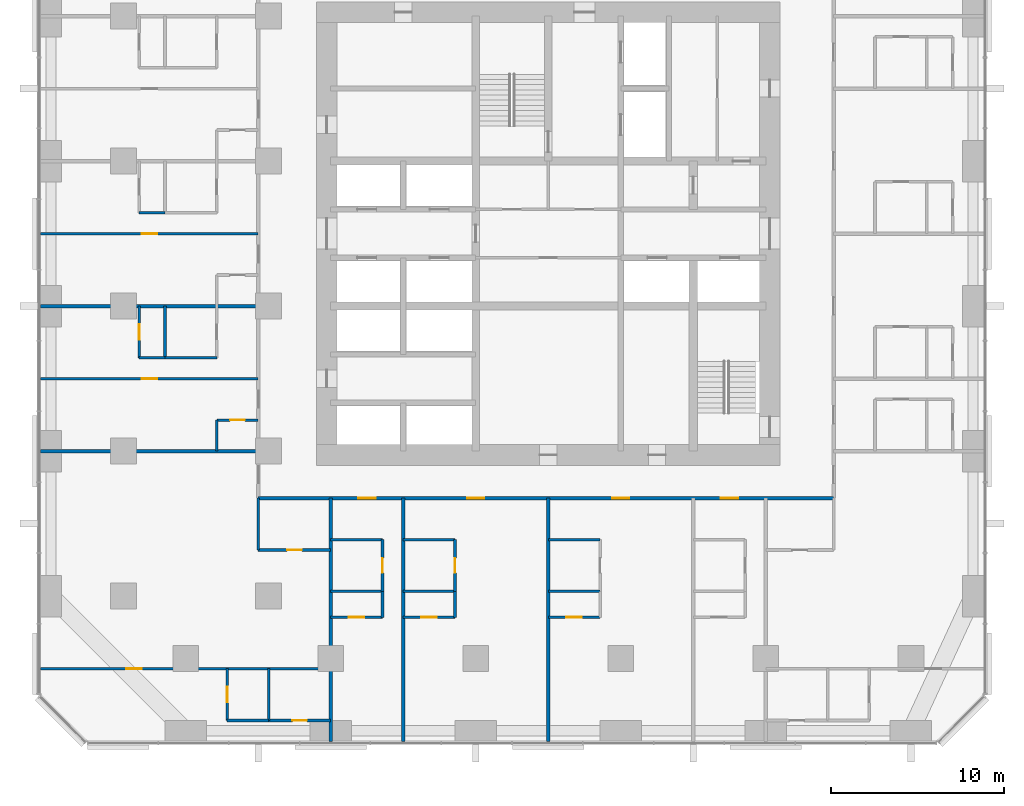
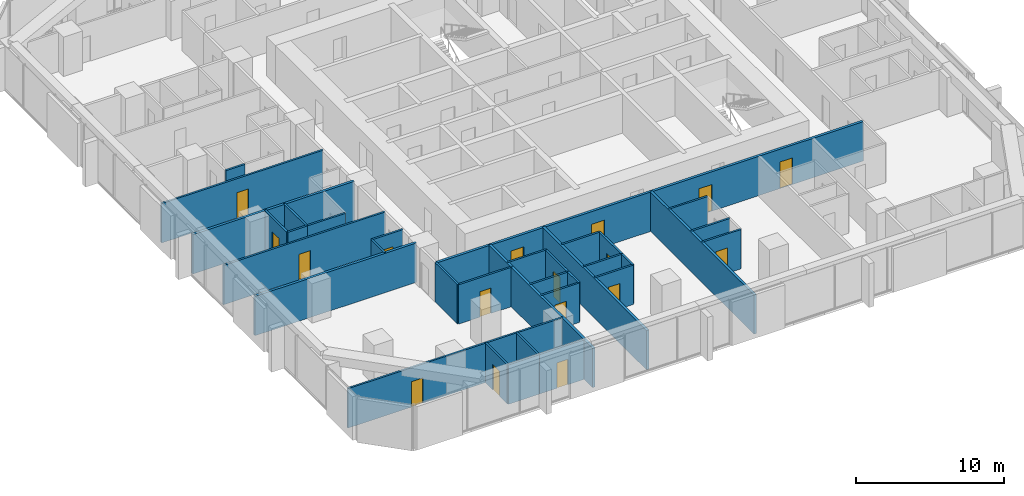
# One storey, part 8 of 14: 35 walls, 17 doors, 17 openings.
"""IFC4 building model written with IfcOpenShell, lengths in metres."""

from ifc_helpers import new_model, si_unit, direction, frame, frame_2d, origin, place, context, subcontext, project, spatial, rectangle, extrude, material, layer, layer_set, type_object, element, fill, save


model = new_model("IFC4")

# Units and contexts
model_context = context("Model", 3, precision=1e-05, world=origin(), true_north=direction((0.0, 1.0)))
body_context = subcontext(model_context, "Body", "Model", "MODEL_VIEW")
ifc_project = project(units=[si_unit("LENGTHUNIT", "METRE"), si_unit("AREAUNIT", "SQUARE_METRE"), si_unit("VOLUMEUNIT", "CUBIC_METRE"), si_unit("PLANEANGLEUNIT", "RADIAN"), si_unit("MASSUNIT", "GRAM", prefix="KILO")], contexts=[model_context])

# Site, building, storey
site_placement = place(None, origin())
site = spatial("IfcSite", under=ifc_project, at=site_placement, CompositionType="ELEMENT")
building_placement = place(site_placement, origin())
building = spatial("IfcBuilding", under=site, at=building_placement, Name="Dunama Terrace Hotel", CompositionType="ELEMENT")
storey_placement = place(building_placement, frame((0.0, 0.0, 100.800048828125)))
storey = spatial("IfcBuildingStorey", under=building, at=storey_placement, Name="L25", CompositionType="ELEMENT", Elevation=100.800048828125)

# Walls
ifc_material_1 = material(Name="Gypsum board partition", Category="masonry")
ifc_layer_1 = layer(ifc_material_1, 0.14990234375)
ifc_layer_set_1 = layer_set([ifc_layer_1], Name="Bathroom partition 150")
wall_type_1 = type_object("IfcWallType", Name="Bathroom partition 150", PredefinedType="PARTITIONING", material=ifc_layer_set_1)
wall_1_placement = place(storey_placement, frame((10.199951171875, 16.800048828125, 0.0), z_axis=(0.0, 0.0, 1.0), x_axis=(0.0, 1.0, 0.0)))
element("IfcWall", 1, at=wall_1_placement, inside=storey, type_object=wall_type_1, Name="Bathroom partition 150 L25", PredefinedType="PARTITIONING", context=body_context, shape_type="SweptSolid", body=[
    extrude(rectangle(XDim=1.800048828125, YDim=0.14990234375, at=frame_2d((0.89990234375, 0.0))), origin(), (0.0, 0.0, 1.0), 3.25),
])
wall_2_placement = place(storey_placement, frame((12.60009765625, 11.074951171875, 0.0), z_axis=(0.0, 0.0, 1.0), x_axis=(0.0, 1.0, 0.0)))
element("IfcWall", 2, at=wall_2_placement, inside=storey, type_object=wall_type_1, Name="Bathroom partition 150 L25", PredefinedType="PARTITIONING", context=body_context, shape_type="SweptSolid", body=[
    extrude(rectangle(XDim=3.0, YDim=0.14990234375, at=frame_2d((1.5, 0.0))), origin(), (0.0, 0.0, 1.0), 3.25),
])

# Wall, opening, door
wall_3_placement = place(storey_placement, frame((19.800048828125, 8.675048828125, 0.0), z_axis=(0.0, 0.0, 1.0), x_axis=(0.0, 1.0, 0.0)))
wall_3 = element("IfcWall", 3, at=wall_3_placement, inside=storey, type_object=wall_type_1, Name="Bathroom partition 150 L25", PredefinedType="PARTITIONING", context=body_context, shape_type="SweptSolid", body=[
    extrude(rectangle(XDim=3.0, YDim=0.14990234375, at=frame_2d((1.5, 0.0))), origin(), (0.0, 0.0, 1.0), 3.25),
])
opening_1_placement = place(wall_3_placement, frame((1.074951171875, 0.0, 0.0)))
opening_1 = element("IfcOpeningElement", 4, at=opening_1_placement, cuts=wall_3, Name="Opening L25-27-012", PredefinedType="OPENING", context=body_context, shape_type="SweptSolid", body=[
    extrude(rectangle(XDim=0.85009765625, YDim=2.10009765625, at=frame_2d((0.425048828125, 1.050048828125))), frame((0.0, 0.0849609375, 0.0), z_axis=(0.0, -1.0, 0.0), x_axis=(1.0, 0.0, 0.0)), (0.0, 0.0, 1.0), 0.169921875),
])
ifc_material_2 = material(Name="Timber door with steel frame", Category="steel")
door_type_1 = type_object("IfcDoorType", Name="Bathroom door 850", OperationType="SINGLE_SWING_LEFT", PredefinedType="DOOR", material=ifc_material_2)
door_1_placement = place(opening_1_placement, origin())
door_1 = element("IfcDoor", 5, at=door_1_placement, inside=storey, type_object=door_type_1, Name="Door to en-suite bathroom L25-27-012, type D2", OperationType="SINGLE_SWING_LEFT", OverallHeight=2.10009765625, OverallWidth=0.85009765625, PredefinedType="DOOR", context=body_context, shape_type="SweptSolid", body=[
    extrude(rectangle(XDim=0.85009765625, YDim=2.10009765625, at=frame_2d((0.425048828125, 1.050048828125))), frame((0.0, 0.02490234375, 0.0), z_axis=(0.0, -1.0, 0.0), x_axis=(1.0, 0.0, 0.0)), (0.0, 0.0, 1.0), 0.050048828125),
])
fill(opening_1, door_1)

wall_4_placement = place(storey_placement, frame((24.0, 8.675048828125, 0.0), z_axis=(0.0, 0.0, 1.0), x_axis=(0.0, 1.0, 0.0)))
wall_4 = element("IfcWall", 6, at=wall_4_placement, inside=storey, type_object=wall_type_1, Name="Bathroom partition 150 L25", PredefinedType="PARTITIONING", context=body_context, shape_type="SweptSolid", body=[
    extrude(rectangle(XDim=3.0, YDim=0.14990234375, at=frame_2d((1.5, 0.0))), origin(), (0.0, 0.0, 1.0), 3.25),
])
opening_2_placement = place(wall_4_placement, frame((1.074951171875, 0.0, 0.0)))
opening_2 = element("IfcOpeningElement", 7, at=opening_2_placement, cuts=wall_4, Name="Opening L25-27-015", PredefinedType="OPENING", context=body_context, shape_type="SweptSolid", body=[
    extrude(rectangle(XDim=0.85009765625, YDim=2.10009765625, at=frame_2d((0.425048828125, 1.050048828125))), frame((0.0, 0.0849609375, 0.0), z_axis=(0.0, -1.0, 0.0), x_axis=(1.0, 0.0, 0.0)), (0.0, 0.0, 1.0), 0.169921875),
])
door_2_placement = place(opening_2_placement, origin())
door_2 = element("IfcDoor", 8, at=door_2_placement, inside=storey, type_object=door_type_1, Name="Door to en-suite bathroom L25-27-015, type D2", OperationType="SINGLE_SWING_LEFT", OverallHeight=2.10009765625, OverallWidth=0.85009765625, PredefinedType="DOOR", context=body_context, shape_type="SweptSolid", body=[
    extrude(rectangle(XDim=0.85009765625, YDim=2.10009765625, at=frame_2d((0.425048828125, 1.050048828125))), frame((0.0, 0.02490234375, 0.0), z_axis=(0.0, -1.0, 0.0), x_axis=(1.0, 0.0, 0.0)), (0.0, 0.0, 1.0), 0.050048828125),
])
fill(opening_2, door_2)

wall_5_placement = place(storey_placement, frame((13.199951171875, 1.199951171875, 0.0), z_axis=(0.0, 0.0, 1.0), x_axis=(1.0, 0.0, 0.0)))
wall_5 = element("IfcWall", 9, at=wall_5_placement, inside=storey, type_object=wall_type_1, Name="Bathroom partition 150 L25", PredefinedType="PARTITIONING", context=body_context, shape_type="SweptSolid", body=[
    extrude(rectangle(XDim=3.60009765625, YDim=0.14990234375, at=frame_2d((1.800048828125, 0.0))), origin(), (0.0, 0.0, 1.0), 3.25),
])
opening_3_placement = place(wall_5_placement, frame((1.375, 0.0, 0.0)))
opening_3 = element("IfcOpeningElement", 10, at=opening_3_placement, cuts=wall_5, Name="Opening L25-27-062", PredefinedType="OPENING", context=body_context, shape_type="SweptSolid", body=[
    extrude(rectangle(XDim=0.85009765625, YDim=2.10009765625, at=frame_2d((0.425048828125, 1.050048828125))), frame((0.0, 0.0849609375, 0.0), z_axis=(0.0, -1.0, 0.0), x_axis=(1.0, 0.0, 0.0)), (0.0, 0.0, 1.0), 0.169921875),
])
door_3_placement = place(opening_3_placement, origin())
door_3 = element("IfcDoor", 11, at=door_3_placement, inside=storey, type_object=door_type_1, Name="Door to en-suite bathroom L25-27-062, type D2", OperationType="SINGLE_SWING_RIGHT", OverallHeight=2.10009765625, OverallWidth=0.85009765625, PredefinedType="DOOR", context=body_context, shape_type="SweptSolid", body=[
    extrude(rectangle(XDim=0.85009765625, YDim=2.10009765625, at=frame_2d((0.425048828125, 1.050048828125))), frame((0.0, 0.02490234375, 0.0), z_axis=(0.0, -1.0, 0.0), x_axis=(1.0, 0.0, 0.0)), (0.0, 0.0, 1.0), 0.050048828125),
])
fill(opening_3, door_3)

wall_6_placement = place(storey_placement, frame((12.60009765625, 11.074951171875, 0.0), z_axis=(0.0, 0.0, 1.0), x_axis=(1.0, 0.0, 0.0)))
wall_6 = element("IfcWall", 12, at=wall_6_placement, inside=storey, type_object=wall_type_1, Name="Bathroom partition 150 L25", PredefinedType="PARTITIONING", context=body_context, shape_type="SweptSolid", body=[
    extrude(rectangle(XDim=4.199951171875, YDim=0.14990234375, at=frame_2d((2.10009765625, 0.0))), origin(), (0.0, 0.0, 1.0), 3.25),
])
opening_4_placement = place(wall_6_placement, frame((1.675048828125, 0.0, 0.0)))
opening_4 = element("IfcOpeningElement", 13, at=opening_4_placement, cuts=wall_6, Name="Opening L25-27-060", PredefinedType="OPENING", context=body_context, shape_type="SweptSolid", body=[
    extrude(rectangle(XDim=0.85009765625, YDim=2.10009765625, at=frame_2d((0.425048828125, 1.050048828125))), frame((0.0, 0.0849609375, 0.0), z_axis=(0.0, -1.0, 0.0), x_axis=(1.0, 0.0, 0.0)), (0.0, 0.0, 1.0), 0.169921875),
])
door_4_placement = place(opening_4_placement, origin())
door_4 = element("IfcDoor", 14, at=door_4_placement, inside=storey, type_object=door_type_1, Name="Door to powder room L25-27-060, type D2", OperationType="SINGLE_SWING_RIGHT", OverallHeight=2.10009765625, OverallWidth=0.85009765625, PredefinedType="DOOR", context=body_context, shape_type="SweptSolid", body=[
    extrude(rectangle(XDim=0.85009765625, YDim=2.10009765625, at=frame_2d((0.425048828125, 1.050048828125))), frame((0.0, 0.02490234375, 0.0), z_axis=(0.0, -1.0, 0.0), x_axis=(1.0, 0.0, 0.0)), (0.0, 0.0, 1.0), 0.050048828125),
])
fill(opening_4, door_4)

# Walls
for number, where, z_axis, x_axis, name in (
    (15, (16.800048828125, 11.675048828125, 0.0), (0.0, 0.0, 1.0), (1.0, 0.0, 0.0), "Bathroom partition 150 L25"),
    (16, (21.0, 11.675048828125, 0.0), (0.0, 0.0, 1.0), (1.0, 0.0, 0.0), "Bathroom partition 150 L25"),
    (17, (29.39990234375, 11.675048828125, 0.0), (0.0, 0.0, 1.0), (1.0, 0.0, 0.0), "Bathroom partition 150 L25"),
):
    element("IfcWall", number, at=place(storey_placement, frame(where, z_axis=z_axis, x_axis=x_axis)), inside=storey, type_object=wall_type_1, Name=name, PredefinedType="PARTITIONING", context=body_context, shape_type="SweptSolid", body=[
        extrude(rectangle(XDim=3.0, YDim=0.14990234375, at=frame_2d((1.5, 0.0))), origin(), (0.0, 0.0, 1.0), 3.25),
    ])

# Wall, opening, door
wall_7_placement = place(storey_placement, frame((10.199951171875, 18.60009765625, 0.0), z_axis=(0.0, 0.0, 1.0), x_axis=(1.0, 0.0, 0.0)))
wall_7 = element("IfcWall", 18, at=wall_7_placement, inside=storey, type_object=wall_type_1, Name="Bathroom partition 150 L25", PredefinedType="PARTITIONING", context=body_context, shape_type="SweptSolid", body=[
    extrude(rectangle(XDim=2.400146484375, YDim=0.14990234375, at=frame_2d((1.2001953125, 0.0))), origin(), (0.0, 0.0, 1.0), 3.25),
])
opening_5_placement = place(wall_7_placement, frame((0.77490234375, 0.0, 0.0)))
opening_5 = element("IfcOpeningElement", 19, at=opening_5_placement, cuts=wall_7, Name="Opening L25-27-045", PredefinedType="OPENING", context=body_context, shape_type="SweptSolid", body=[
    extrude(rectangle(XDim=0.85009765625, YDim=2.10009765625, at=frame_2d((0.425048828125, 1.050048828125))), frame((0.0, 0.0849609375, 0.0), z_axis=(0.0, -1.0, 0.0), x_axis=(1.0, 0.0, 0.0)), (0.0, 0.0, 1.0), 0.169921875),
])
door_5_placement = place(opening_5_placement, frame((0.85009765625, 0.0, 0.0), z_axis=(0.0, 0.0, 1.0), x_axis=(-1.0, 0.0, 0.0)))
door_5 = element("IfcDoor", 20, at=door_5_placement, inside=storey, type_object=door_type_1, Name="Door to powder room L25-27-045, type D2", OperationType="SINGLE_SWING_LEFT", OverallHeight=2.10009765625, OverallWidth=0.85009765625, PredefinedType="DOOR", context=body_context, shape_type="SweptSolid", body=[
    extrude(rectangle(XDim=0.85009765625, YDim=2.10009765625, at=frame_2d((0.425048828125, 1.050048828125))), frame((0.0, 0.025146484375, 0.0), z_axis=(0.0, -1.0, 0.0), x_axis=(1.0, 0.0, 0.0)), (0.0, 0.0, 1.0), 0.050048828125),
])
fill(opening_5, door_5)

# Wall
wall_8_placement = place(storey_placement, frame((7.199951171875, 22.199951171875, 0.0), z_axis=(0.0, 0.0, 1.0), x_axis=(1.0, 0.0, 0.0)))
element("IfcWall", 21, at=wall_8_placement, inside=storey, type_object=wall_type_1, Name="Bathroom partition 150 L25", PredefinedType="PARTITIONING", context=body_context, shape_type="SweptSolid", body=[
    extrude(rectangle(XDim=3.0, YDim=0.14990234375, at=frame_2d((1.5, 0.0))), origin(), (0.0, 0.0, 1.0), 3.25),
])

# Wall, openings, doors
ifc_material_3 = material(Name="Concrete blockwork", Category="masonry")
ifc_layer_2 = layer(ifc_material_3, 0.199951171875)
ifc_layer_set_2 = layer_set([ifc_layer_2], Name="Corridor partition 200")
wall_type_2 = type_object("IfcWallType", Name="Corridor partition 200", PredefinedType="PARTITIONING", material=ifc_layer_set_2)
wall_9_placement = place(storey_placement, frame((45.925048828125, 14.074951171875, 0.0), z_axis=(0.0, 0.0, 1.0), x_axis=(-1.0, 0.0, 0.0)))
wall_9 = element("IfcWall", 22, at=wall_9_placement, inside=storey, type_object=wall_type_2, Name="Corridor partition 200 L25", PredefinedType="PARTITIONING", context=body_context, shape_type="SweptSolid", body=[
    extrude(rectangle(XDim=33.324951171875, YDim=0.199951171875, at=frame_2d((16.66259765625, 0.0))), origin(), (0.0, 0.0, 1.0), 3.25),
])
opening_6_placement = place(wall_9_placement, frame((26.52490234375, 0.0, 0.0)))
opening_6 = element("IfcOpeningElement", 23, at=opening_6_placement, cuts=wall_9, Name="Opening L25-27-011", PredefinedType="OPENING", context=body_context, shape_type="SweptSolid", body=[
    extrude(rectangle(XDim=1.0, YDim=2.199951171875, at=frame_2d((0.5, 1.10009765625))), frame((0.0, 0.10986328125, 0.0), z_axis=(0.0, -1.0, 0.0), x_axis=(1.0, 0.0, 0.0)), (0.0, 0.0, 1.0), 0.219970703125),
])
opening_7_placement = place(wall_9_placement, frame((20.22509765625, 0.0, 0.0)))
opening_7 = element("IfcOpeningElement", 24, at=opening_7_placement, cuts=wall_9, Name="Opening L25-27-014", PredefinedType="OPENING", context=body_context, shape_type="SweptSolid", body=[
    extrude(rectangle(XDim=1.0, YDim=2.199951171875, at=frame_2d((0.5, 1.10009765625))), frame((0.0, 0.10986328125, 0.0), z_axis=(0.0, -1.0, 0.0), x_axis=(1.0, 0.0, 0.0)), (0.0, 0.0, 1.0), 0.219970703125),
])
opening_8_placement = place(wall_9_placement, frame((11.824951171875, 0.0, 0.0)))
opening_8 = element("IfcOpeningElement", 25, at=opening_8_placement, cuts=wall_9, Name="Opening L25-27-017", PredefinedType="OPENING", context=body_context, shape_type="SweptSolid", body=[
    extrude(rectangle(XDim=1.0, YDim=2.199951171875, at=frame_2d((0.5, 1.10009765625))), frame((0.0, 0.10986328125, 0.0), z_axis=(0.0, -1.0, 0.0), x_axis=(1.0, 0.0, 0.0)), (0.0, 0.0, 1.0), 0.219970703125),
])
opening_9_placement = place(wall_9_placement, frame((5.52490234375, 0.0, 0.0)))
opening_9 = element("IfcOpeningElement", 26, at=opening_9_placement, cuts=wall_9, Name="Opening L25-27-020", PredefinedType="OPENING", context=body_context, shape_type="SweptSolid", body=[
    extrude(rectangle(XDim=1.0, YDim=2.199951171875, at=frame_2d((0.5, 1.10009765625))), frame((0.0, 0.10986328125, 0.0), z_axis=(0.0, -1.0, 0.0), x_axis=(1.0, 0.0, 0.0)), (0.0, 0.0, 1.0), 0.219970703125),
])
ifc_material_4 = material(Name="Timber door with steel frame", Category="steel")
door_type_2 = type_object("IfcDoorType", Name="Guest room door 1000", OperationType="SINGLE_SWING_LEFT", PredefinedType="DOOR", material=ifc_material_4)
door_6_placement = place(opening_6_placement, origin())
door_6 = element("IfcDoor", 27, at=door_6_placement, inside=storey, type_object=door_type_2, Name="Door to premier room L25-27-011, type D1", OperationType="SINGLE_SWING_LEFT", OverallHeight=2.199951171875, OverallWidth=1.0, PredefinedType="DOOR", context=body_context, shape_type="SweptSolid", body=[
    extrude(rectangle(XDim=1.0, YDim=2.199951171875, at=frame_2d((0.5, 1.10009765625))), frame((0.0, 0.02490234375, 0.0), z_axis=(0.0, -1.0, 0.0), x_axis=(1.0, 0.0, 0.0)), (0.0, 0.0, 1.0), 0.050048828125),
])
fill(opening_6, door_6)
door_7_placement = place(opening_7_placement, origin())
door_7 = element("IfcDoor", 28, at=door_7_placement, inside=storey, type_object=door_type_2, Name="Door to junior suite L25-27-014, type D1", OperationType="SINGLE_SWING_RIGHT", OverallHeight=2.199951171875, OverallWidth=1.0, PredefinedType="DOOR", context=body_context, shape_type="SweptSolid", body=[
    extrude(rectangle(XDim=1.0, YDim=2.199951171875, at=frame_2d((0.5, 1.10009765625))), frame((0.0, 0.02490234375, 0.0), z_axis=(0.0, -1.0, 0.0), x_axis=(1.0, 0.0, 0.0)), (0.0, 0.0, 1.0), 0.050048828125),
])
fill(opening_7, door_7)
door_8_placement = place(opening_8_placement, origin())
door_8 = element("IfcDoor", 29, at=door_8_placement, inside=storey, type_object=door_type_2, Name="Door to junior suite L25-27-017, type D1", OperationType="SINGLE_SWING_RIGHT", OverallHeight=2.199951171875, OverallWidth=1.0, PredefinedType="DOOR", context=body_context, shape_type="SweptSolid", body=[
    extrude(rectangle(XDim=1.0, YDim=2.199951171875, at=frame_2d((0.5, 1.10009765625))), frame((0.0, 0.02490234375, 0.0), z_axis=(0.0, -1.0, 0.0), x_axis=(1.0, 0.0, 0.0)), (0.0, 0.0, 1.0), 0.050048828125),
])
fill(opening_8, door_8)
door_9_placement = place(opening_9_placement, origin())
door_9 = element("IfcDoor", 30, at=door_9_placement, inside=storey, type_object=door_type_2, Name="Door to premier room L25-27-020, type D1", OperationType="SINGLE_SWING_LEFT", OverallHeight=2.199951171875, OverallWidth=1.0, PredefinedType="DOOR", context=body_context, shape_type="SweptSolid", body=[
    extrude(rectangle(XDim=1.0, YDim=2.199951171875, at=frame_2d((0.5, 1.10009765625))), frame((0.0, 0.02490234375, 0.0), z_axis=(0.0, -1.0, 0.0), x_axis=(1.0, 0.0, 0.0)), (0.0, 0.0, 1.0), 0.050048828125),
])
fill(opening_9, door_9)

# Walls
ifc_material_5 = material(Name="Concrete blockwork", Category="masonry")
ifc_layer_3 = layer(ifc_material_5, 0.199951171875)
ifc_layer_set_3 = layer_set([ifc_layer_3], Name="Party wall 200")
wall_type_3 = type_object("IfcWallType", Name="Party wall 200", PredefinedType="PARTITIONING", material=ifc_layer_set_3)
for number, where, z_axis, x_axis, name in (
    (31, (16.800048828125, -0.01806640625, 0.0), (0.0, 0.0, 1.0), (0.0, 1.0, 0.0), "Party wall 200 L25"),
    (32, (21.0, -0.01806640625, 0.0), (0.0, 0.0, 1.0), (0.0, 1.0, 0.0), "Party wall 200 L25"),
    (33, (29.39990234375, -0.01806640625, 0.0), (0.0, 0.0, 1.0), (0.0, 1.0, 0.0), "Party wall 200 L25"),
):
    element("IfcWall", number, at=place(storey_placement, frame(where, z_axis=z_axis, x_axis=x_axis)), inside=storey, type_object=wall_type_3, Name=name, PredefinedType="PARTITIONING", context=body_context, shape_type="SweptSolid", body=[
        extrude(rectangle(XDim=14.093017578125, YDim=0.199951171875, at=frame_2d((7.04638671875, 0.0))), origin(), (0.0, 0.0, 1.0), 3.25),
    ])
for number, where, z_axis, x_axis, name in (
    (34, (-0.01806640625, 16.800048828125, 0.0), (0.0, 0.0, 1.0), (1.0, 0.0, 0.0), "Party wall 200 L25"),
    (35, (-0.01806640625, 25.199951171875, 0.0), (0.0, 0.0, 1.0), (1.0, 0.0, 0.0), "Party wall 200 L25"),
):
    element("IfcWall", number, at=place(storey_placement, frame(where, z_axis=z_axis, x_axis=x_axis)), inside=storey, type_object=wall_type_3, Name=name, PredefinedType="PARTITIONING", context=body_context, shape_type="SweptSolid", body=[
        extrude(rectangle(XDim=12.6181640625, YDim=0.199951171875, at=frame_2d((6.30908203125, 0.0))), origin(), (0.0, 0.0, 1.0), 3.25),
    ])

# Wall, opening, door
ifc_material_6 = material(Name="Gypsum board partition", Category="masonry")
ifc_layer_4 = layer(ifc_material_6, 0.14990234375)
ifc_layer_set_4 = layer_set([ifc_layer_4], Name="Room partition 150")
wall_type_4 = type_object("IfcWallType", Name="Room partition 150", PredefinedType="PARTITIONING", material=ifc_layer_set_4)
wall_10_placement = place(storey_placement, frame((5.699951171875, 22.199951171875, 0.0), z_axis=(0.0, 0.0, 1.0), x_axis=(0.0, 1.0, 0.0)))
wall_10 = element("IfcWall", 36, at=wall_10_placement, inside=storey, type_object=wall_type_4, Name="Room partition 150 L25", PredefinedType="PARTITIONING", context=body_context, shape_type="SweptSolid", body=[
    extrude(rectangle(XDim=3.0, YDim=0.14990234375, at=frame_2d((1.5, 0.0))), origin(), (0.0, 0.0, 1.0), 3.25),
])
opening_10_placement = place(wall_10_placement, frame((1.050048828125, 0.0, 0.0)))
opening_10 = element("IfcOpeningElement", 37, at=opening_10_placement, cuts=wall_10, Name="Opening L25-27-048", PredefinedType="OPENING", context=body_context, shape_type="SweptSolid", body=[
    extrude(rectangle(XDim=0.89990234375, YDim=2.10009765625, at=frame_2d((0.449951171875, 1.050048828125))), frame((0.0, 0.0849609375, 0.0), z_axis=(0.0, -1.0, 0.0), x_axis=(1.0, 0.0, 0.0)), (0.0, 0.0, 1.0), 0.169921875),
])
ifc_material_7 = material(Name="Timber door with steel frame", Category="steel")
door_type_3 = type_object("IfcDoorType", Name="Suite internal door 900", OperationType="SINGLE_SWING_LEFT", PredefinedType="DOOR", material=ifc_material_7)
door_10_placement = place(opening_10_placement, frame((0.89990234375, 0.0, 0.0), z_axis=(0.0, 0.0, 1.0), x_axis=(-1.0, 0.0, 0.0)))
door_10 = element("IfcDoor", 38, at=door_10_placement, inside=storey, type_object=door_type_3, Name="Door to walk-in wardrobe L25-27-048, type D16", OperationType="SINGLE_SWING_LEFT", OverallHeight=2.10009765625, OverallWidth=0.89990234375, PredefinedType="DOOR", context=body_context, shape_type="SweptSolid", body=[
    extrude(rectangle(XDim=0.89990234375, YDim=2.10009765625, at=frame_2d((0.449951171875, 1.050048828125))), frame((0.0, 0.025146484375, 0.0), z_axis=(0.0, -1.0, 0.0), x_axis=(1.0, 0.0, 0.0)), (0.0, 0.0, 1.0), 0.050048828125),
])
fill(opening_10, door_10)

# Wall
wall_11_placement = place(storey_placement, frame((7.199951171875, 22.199951171875, 0.0), z_axis=(0.0, 0.0, 1.0), x_axis=(0.0, 1.0, 0.0)))
element("IfcWall", 39, at=wall_11_placement, inside=storey, type_object=wall_type_4, Name="Room partition 150 L25", PredefinedType="PARTITIONING", context=body_context, shape_type="SweptSolid", body=[
    extrude(rectangle(XDim=3.0, YDim=0.14990234375, at=frame_2d((1.5, 0.0))), origin(), (0.0, 0.0, 1.0), 3.25),
])

# Wall, opening, door
wall_12_placement = place(storey_placement, frame((10.800048828125, 1.199951171875, 0.0), z_axis=(0.0, 0.0, 1.0), x_axis=(0.0, 1.0, 0.0)))
wall_12 = element("IfcWall", 40, at=wall_12_placement, inside=storey, type_object=wall_type_4, Name="Room partition 150 L25", PredefinedType="PARTITIONING", context=body_context, shape_type="SweptSolid", body=[
    extrude(rectangle(XDim=3.0, YDim=0.14990234375, at=frame_2d((1.5, 0.0))), origin(), (0.0, 0.0, 1.0), 3.25),
])
opening_11_placement = place(wall_12_placement, frame((1.050048828125, 0.0, 0.0)))
opening_11 = element("IfcOpeningElement", 41, at=opening_11_placement, cuts=wall_12, Name="Opening L25-27-063", PredefinedType="OPENING", context=body_context, shape_type="SweptSolid", body=[
    extrude(rectangle(XDim=0.89990234375, YDim=2.10009765625, at=frame_2d((0.449951171875, 1.050048828125))), frame((0.0, 0.0849609375, 0.0), z_axis=(0.0, -1.0, 0.0), x_axis=(1.0, 0.0, 0.0)), (0.0, 0.0, 1.0), 0.169921875),
])
door_11_placement = place(opening_11_placement, frame((0.89990234375, 0.0, 0.0), z_axis=(0.0, 0.0, 1.0), x_axis=(-1.0, 0.0, 0.0)))
door_11 = element("IfcDoor", 42, at=door_11_placement, inside=storey, type_object=door_type_3, Name="Door to dressing room L25-27-063, type D16", OperationType="SINGLE_SWING_LEFT", OverallHeight=2.10009765625, OverallWidth=0.89990234375, PredefinedType="DOOR", context=body_context, shape_type="SweptSolid", body=[
    extrude(rectangle(XDim=0.89990234375, YDim=2.10009765625, at=frame_2d((0.449951171875, 1.050048828125))), frame((0.0, 0.025146484375, 0.0), z_axis=(0.0, -1.0, 0.0), x_axis=(1.0, 0.0, 0.0)), (0.0, 0.0, 1.0), 0.050048828125),
])
fill(opening_11, door_11)

# Walls
wall_13_placement = place(storey_placement, frame((13.199951171875, 1.199951171875, 0.0), z_axis=(0.0, 0.0, 1.0), x_axis=(0.0, 1.0, 0.0)))
element("IfcWall", 43, at=wall_13_placement, inside=storey, type_object=wall_type_4, Name="Room partition 150 L25", PredefinedType="PARTITIONING", context=body_context, shape_type="SweptSolid", body=[
    extrude(rectangle(XDim=3.0, YDim=0.14990234375, at=frame_2d((1.5, 0.0))), origin(), (0.0, 0.0, 1.0), 3.25),
])
for number, where, z_axis, x_axis, name in (
    (44, (19.800048828125, 7.175048828125, 0.0), (0.0, 0.0, 1.0), (0.0, 1.0, 0.0), "Room partition 150 L25"),
    (45, (24.0, 7.175048828125, 0.0), (0.0, 0.0, 1.0), (0.0, 1.0, 0.0), "Room partition 150 L25"),
):
    element("IfcWall", number, at=place(storey_placement, frame(where, z_axis=z_axis, x_axis=x_axis)), inside=storey, type_object=wall_type_4, Name=name, PredefinedType="PARTITIONING", context=body_context, shape_type="SweptSolid", body=[
        extrude(rectangle(XDim=1.5, YDim=0.14990234375, at=frame_2d((0.75, 0.0))), origin(), (0.0, 0.0, 1.0), 3.25),
    ])
wall_14_placement = place(storey_placement, frame((10.800048828125, 1.199951171875, 0.0), z_axis=(0.0, 0.0, 1.0), x_axis=(1.0, 0.0, 0.0)))
element("IfcWall", 46, at=wall_14_placement, inside=storey, type_object=wall_type_4, Name="Room partition 150 L25", PredefinedType="PARTITIONING", context=body_context, shape_type="SweptSolid", body=[
    extrude(rectangle(XDim=2.39990234375, YDim=0.14990234375, at=frame_2d((1.199951171875, 0.0))), origin(), (0.0, 0.0, 1.0), 3.25),
])

# Wall, opening, door
wall_15_placement = place(storey_placement, frame((-0.01806640625, 4.199951171875, 0.0), z_axis=(0.0, 0.0, 1.0), x_axis=(1.0, 0.0, 0.0)))
wall_15 = element("IfcWall", 47, at=wall_15_placement, inside=storey, type_object=wall_type_4, Name="Room partition 150 L25", PredefinedType="PARTITIONING", context=body_context, shape_type="SweptSolid", body=[
    extrude(rectangle(XDim=16.818115234375, YDim=0.14990234375, at=frame_2d((8.4091796875, 0.0))), origin(), (0.0, 0.0, 1.0), 3.25),
])
opening_12_placement = place(wall_15_placement, frame((4.968017578125, 0.0, 0.0)))
opening_12 = element("IfcOpeningElement", 48, at=opening_12_placement, cuts=wall_15, Name="Opening L25-27-061", PredefinedType="OPENING", context=body_context, shape_type="SweptSolid", body=[
    extrude(rectangle(XDim=0.89990234375, YDim=2.10009765625, at=frame_2d((0.449951171875, 1.050048828125))), frame((0.0, 0.0849609375, 0.0), z_axis=(0.0, -1.0, 0.0), x_axis=(1.0, 0.0, 0.0)), (0.0, 0.0, 1.0), 0.169921875),
])
door_12_placement = place(opening_12_placement, frame((0.89990234375, 0.0, 0.0), z_axis=(0.0, 0.0, 1.0), x_axis=(-1.0, 0.0, 0.0)))
door_12 = element("IfcDoor", 49, at=door_12_placement, inside=storey, type_object=door_type_3, Name="Door to corner suite bedroom L25-27-061, type D16", OperationType="SINGLE_SWING_LEFT", OverallHeight=2.10009765625, OverallWidth=0.89990234375, PredefinedType="DOOR", context=body_context, shape_type="SweptSolid", body=[
    extrude(rectangle(XDim=0.89990234375, YDim=2.10009765625, at=frame_2d((0.449951171875, 1.050048828125))), frame((0.0, 0.025146484375, 0.0), z_axis=(0.0, -1.0, 0.0), x_axis=(1.0, 0.0, 0.0)), (0.0, 0.0, 1.0), 0.050048828125),
])
fill(opening_12, door_12)

wall_16_placement = place(storey_placement, frame((16.800048828125, 7.175048828125, 0.0), z_axis=(0.0, 0.0, 1.0), x_axis=(1.0, 0.0, 0.0)))
wall_16 = element("IfcWall", 50, at=wall_16_placement, inside=storey, type_object=wall_type_4, Name="Room partition 150 L25", PredefinedType="PARTITIONING", context=body_context, shape_type="SweptSolid", body=[
    extrude(rectangle(XDim=3.0, YDim=0.14990234375, at=frame_2d((1.5, 0.0))), origin(), (0.0, 0.0, 1.0), 3.25),
])
opening_13_placement = place(wall_16_placement, frame((1.050048828125, 0.0, 0.0)))
opening_13 = element("IfcOpeningElement", 51, at=opening_13_placement, cuts=wall_16, Name="Opening L25-27-013", PredefinedType="OPENING", context=body_context, shape_type="SweptSolid", body=[
    extrude(rectangle(XDim=0.89990234375, YDim=2.10009765625, at=frame_2d((0.449951171875, 1.050048828125))), frame((0.0, 0.0849609375, 0.0), z_axis=(0.0, -1.0, 0.0), x_axis=(1.0, 0.0, 0.0)), (0.0, 0.0, 1.0), 0.169921875),
])
door_13_placement = place(opening_13_placement, origin())
door_13 = element("IfcDoor", 52, at=door_13_placement, inside=storey, type_object=door_type_3, Name="Door to walk-in wardrobe L25-27-013, type D16", OperationType="SINGLE_SWING_LEFT", OverallHeight=2.10009765625, OverallWidth=0.89990234375, PredefinedType="DOOR", context=body_context, shape_type="SweptSolid", body=[
    extrude(rectangle(XDim=0.89990234375, YDim=2.10009765625, at=frame_2d((0.449951171875, 1.050048828125))), frame((0.0, 0.02490234375, 0.0), z_axis=(0.0, -1.0, 0.0), x_axis=(1.0, 0.0, 0.0)), (0.0, 0.0, 1.0), 0.050048828125),
])
fill(opening_13, door_13)

wall_17_placement = place(storey_placement, frame((21.0, 7.175048828125, 0.0), z_axis=(0.0, 0.0, 1.0), x_axis=(1.0, 0.0, 0.0)))
wall_17 = element("IfcWall", 53, at=wall_17_placement, inside=storey, type_object=wall_type_4, Name="Room partition 150 L25", PredefinedType="PARTITIONING", context=body_context, shape_type="SweptSolid", body=[
    extrude(rectangle(XDim=3.0, YDim=0.14990234375, at=frame_2d((1.5, 0.0))), origin(), (0.0, 0.0, 1.0), 3.25),
])
opening_14_placement = place(wall_17_placement, frame((1.050048828125, 0.0, 0.0)))
opening_14 = element("IfcOpeningElement", 54, at=opening_14_placement, cuts=wall_17, Name="Opening L25-27-016", PredefinedType="OPENING", context=body_context, shape_type="SweptSolid", body=[
    extrude(rectangle(XDim=0.89990234375, YDim=2.10009765625, at=frame_2d((0.449951171875, 1.050048828125))), frame((0.0, 0.0849609375, 0.0), z_axis=(0.0, -1.0, 0.0), x_axis=(1.0, 0.0, 0.0)), (0.0, 0.0, 1.0), 0.169921875),
])
door_14_placement = place(opening_14_placement, origin())
door_14 = element("IfcDoor", 55, at=door_14_placement, inside=storey, type_object=door_type_3, Name="Door to walk-in wardrobe L25-27-016, type D16", OperationType="SINGLE_SWING_LEFT", OverallHeight=2.10009765625, OverallWidth=0.89990234375, PredefinedType="DOOR", context=body_context, shape_type="SweptSolid", body=[
    extrude(rectangle(XDim=0.89990234375, YDim=2.10009765625, at=frame_2d((0.449951171875, 1.050048828125))), frame((0.0, 0.02490234375, 0.0), z_axis=(0.0, -1.0, 0.0), x_axis=(1.0, 0.0, 0.0)), (0.0, 0.0, 1.0), 0.050048828125),
])
fill(opening_14, door_14)

wall_18_placement = place(storey_placement, frame((29.39990234375, 7.175048828125, 0.0), z_axis=(0.0, 0.0, 1.0), x_axis=(1.0, 0.0, 0.0)))
wall_18 = element("IfcWall", 56, at=wall_18_placement, inside=storey, type_object=wall_type_4, Name="Room partition 150 L25", PredefinedType="PARTITIONING", context=body_context, shape_type="SweptSolid", body=[
    extrude(rectangle(XDim=3.0, YDim=0.14990234375, at=frame_2d((1.5, 0.0))), origin(), (0.0, 0.0, 1.0), 3.25),
])
opening_15_placement = place(wall_18_placement, frame((1.050048828125, 0.0, 0.0)))
opening_15 = element("IfcOpeningElement", 57, at=opening_15_placement, cuts=wall_18, Name="Opening L25-27-019", PredefinedType="OPENING", context=body_context, shape_type="SweptSolid", body=[
    extrude(rectangle(XDim=0.89990234375, YDim=2.10009765625, at=frame_2d((0.449951171875, 1.050048828125))), frame((0.0, 0.0849609375, 0.0), z_axis=(0.0, -1.0, 0.0), x_axis=(1.0, 0.0, 0.0)), (0.0, 0.0, 1.0), 0.169921875),
])
door_15_placement = place(opening_15_placement, origin())
door_15 = element("IfcDoor", 58, at=door_15_placement, inside=storey, type_object=door_type_3, Name="Door to walk-in wardrobe L25-27-019, type D16", OperationType="SINGLE_SWING_LEFT", OverallHeight=2.10009765625, OverallWidth=0.89990234375, PredefinedType="DOOR", context=body_context, shape_type="SweptSolid", body=[
    extrude(rectangle(XDim=0.89990234375, YDim=2.10009765625, at=frame_2d((0.449951171875, 1.050048828125))), frame((0.0, 0.02490234375, 0.0), z_axis=(0.0, -1.0, 0.0), x_axis=(1.0, 0.0, 0.0)), (0.0, 0.0, 1.0), 0.050048828125),
])
fill(opening_15, door_15)

# Walls
for number, where, z_axis, x_axis, name in (
    (59, (16.800048828125, 8.675048828125, 0.0), (0.0, 0.0, 1.0), (1.0, 0.0, 0.0), "Room partition 150 L25"),
    (60, (21.0, 8.675048828125, 0.0), (0.0, 0.0, 1.0), (1.0, 0.0, 0.0), "Room partition 150 L25"),
    (61, (29.39990234375, 8.675048828125, 0.0), (0.0, 0.0, 1.0), (1.0, 0.0, 0.0), "Room partition 150 L25"),
):
    element("IfcWall", number, at=place(storey_placement, frame(where, z_axis=z_axis, x_axis=x_axis)), inside=storey, type_object=wall_type_4, Name=name, PredefinedType="PARTITIONING", context=body_context, shape_type="SweptSolid", body=[
        extrude(rectangle(XDim=3.0, YDim=0.14990234375, at=frame_2d((1.5, 0.0))), origin(), (0.0, 0.0, 1.0), 3.25),
    ])

# Wall, opening, door
wall_19_placement = place(storey_placement, frame((-0.01806640625, 21.0, 0.0), z_axis=(0.0, 0.0, 1.0), x_axis=(1.0, 0.0, 0.0)))
wall_19 = element("IfcWall", 62, at=wall_19_placement, inside=storey, type_object=wall_type_4, Name="Room partition 150 L25", PredefinedType="PARTITIONING", context=body_context, shape_type="SweptSolid", body=[
    extrude(rectangle(XDim=12.6181640625, YDim=0.14990234375, at=frame_2d((6.30908203125, 0.0))), origin(), (0.0, 0.0, 1.0), 3.25),
])
opening_16_placement = place(wall_19_placement, frame((5.867919921875, 0.0, 0.0)))
opening_16 = element("IfcOpeningElement", 63, at=opening_16_placement, cuts=wall_19, Name="Opening L25-27-046", PredefinedType="OPENING", context=body_context, shape_type="SweptSolid", body=[
    extrude(rectangle(XDim=0.89990234375, YDim=2.10009765625, at=frame_2d((0.449951171875, 1.050048828125))), frame((0.0, 0.0849609375, 0.0), z_axis=(0.0, -1.0, 0.0), x_axis=(1.0, 0.0, 0.0)), (0.0, 0.0, 1.0), 0.169921875),
])
door_16_placement = place(opening_16_placement, origin())
door_16 = element("IfcDoor", 64, at=door_16_placement, inside=storey, type_object=door_type_3, Name="Door to premier suite bedroom L25-27-046, type D16", OperationType="SINGLE_SWING_LEFT", OverallHeight=2.10009765625, OverallWidth=0.89990234375, PredefinedType="DOOR", context=body_context, shape_type="SweptSolid", body=[
    extrude(rectangle(XDim=0.89990234375, YDim=2.10009765625, at=frame_2d((0.449951171875, 1.050048828125))), frame((0.0, 0.02490234375, 0.0), z_axis=(0.0, -1.0, 0.0), x_axis=(1.0, 0.0, 0.0)), (0.0, 0.0, 1.0), 0.050048828125),
])
fill(opening_16, door_16)

# Wall
wall_20_placement = place(storey_placement, frame((5.699951171875, 22.199951171875, 0.0), z_axis=(0.0, 0.0, 1.0), x_axis=(1.0, 0.0, 0.0)))
element("IfcWall", 65, at=wall_20_placement, inside=storey, type_object=wall_type_4, Name="Room partition 150 L25", PredefinedType="PARTITIONING", context=body_context, shape_type="SweptSolid", body=[
    extrude(rectangle(XDim=1.5, YDim=0.14990234375, at=frame_2d((0.75, 0.0))), origin(), (0.0, 0.0, 1.0), 3.25),
])

# Wall, opening, door
wall_21_placement = place(storey_placement, frame((-0.01806640625, 29.39990234375, 0.0), z_axis=(0.0, 0.0, 1.0), x_axis=(1.0, 0.0, 0.0)))
wall_21 = element("IfcWall", 66, at=wall_21_placement, inside=storey, type_object=wall_type_4, Name="Room partition 150 L25", PredefinedType="PARTITIONING", context=body_context, shape_type="SweptSolid", body=[
    extrude(rectangle(XDim=12.6181640625, YDim=0.14990234375, at=frame_2d((6.30908203125, 0.0))), origin(), (0.0, 0.0, 1.0), 3.25),
])
opening_17_placement = place(wall_21_placement, frame((5.867919921875, 0.0, 0.0)))
opening_17 = element("IfcOpeningElement", 67, at=opening_17_placement, cuts=wall_21, Name="Opening L25-27-051", PredefinedType="OPENING", context=body_context, shape_type="SweptSolid", body=[
    extrude(rectangle(XDim=0.89990234375, YDim=2.10009765625, at=frame_2d((0.449951171875, 1.050048828125))), frame((0.0, 0.0849609375, 0.0), z_axis=(0.0, -1.0, 0.0), x_axis=(1.0, 0.0, 0.0)), (0.0, 0.0, 1.0), 0.169921875),
])
door_17_placement = place(opening_17_placement, origin())
door_17 = element("IfcDoor", 68, at=door_17_placement, inside=storey, type_object=door_type_3, Name="Door to premier suite bedroom L25-27-051, type D16", OperationType="SINGLE_SWING_LEFT", OverallHeight=2.10009765625, OverallWidth=0.89990234375, PredefinedType="DOOR", context=body_context, shape_type="SweptSolid", body=[
    extrude(rectangle(XDim=0.89990234375, YDim=2.10009765625, at=frame_2d((0.449951171875, 1.050048828125))), frame((0.0, 0.02490234375, 0.0), z_axis=(0.0, -1.0, 0.0), x_axis=(1.0, 0.0, 0.0)), (0.0, 0.0, 1.0), 0.050048828125),
])
fill(opening_17, door_17)

# Wall
wall_22_placement = place(storey_placement, frame((5.699951171875, 30.60009765625, 0.0), z_axis=(0.0, 0.0, 1.0), x_axis=(1.0, 0.0, 0.0)))
element("IfcWall", 69, at=wall_22_placement, inside=storey, type_object=wall_type_4, Name="Room partition 150 L25", PredefinedType="PARTITIONING", context=body_context, shape_type="SweptSolid", body=[
    extrude(rectangle(XDim=1.5, YDim=0.14990234375, at=frame_2d((0.75, 0.0))), origin(), (0.0, 0.0, 1.0), 3.25),
])

save(model, "model.ifc")
